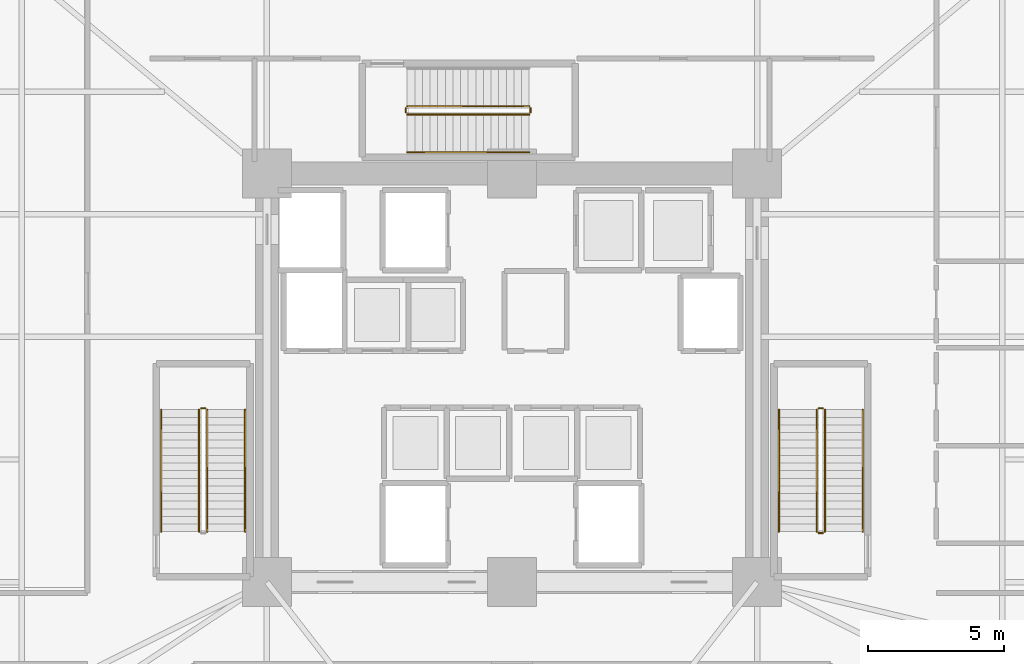
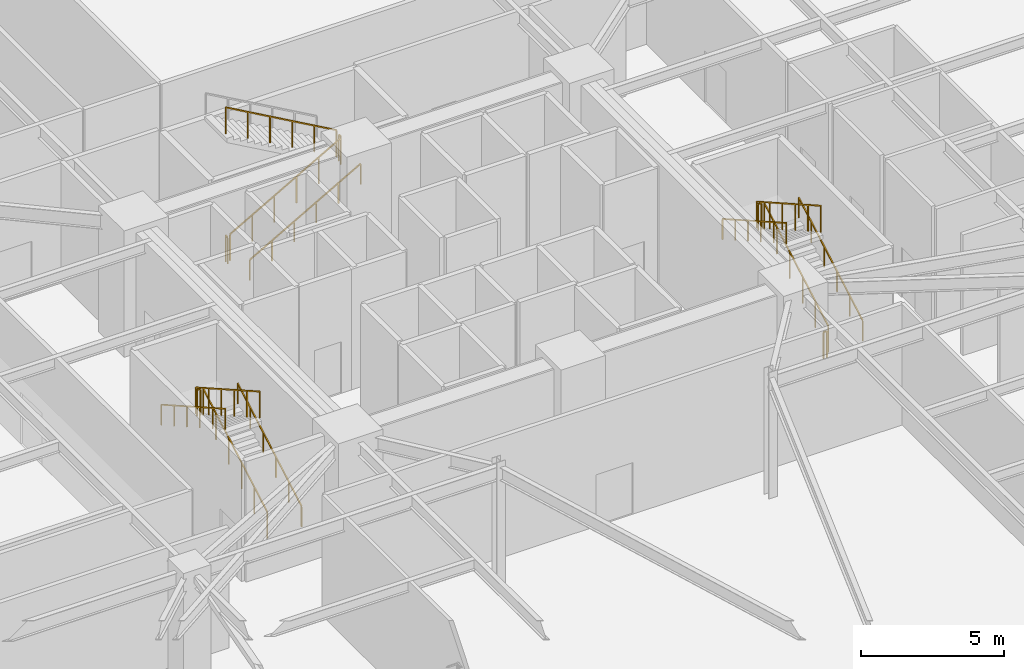
# One storey, part 26 of 30: 16 railings.
"""IFC4 building model written with IfcOpenShell, lengths in metres."""

from ifc_helpers import new_model, si_unit, direction, frame, origin, origin_2d, place, context, subcontext, project, spatial, rectangle, extrude, material, type_object, element, save


model = new_model("IFC4")

# Units and contexts
model_context = context("Model", 3, precision=1e-05, world=origin(), true_north=direction((0.0, 1.0)))
body_context = subcontext(model_context, "Body", "Model", "MODEL_VIEW")
ifc_project = project(units=[si_unit("LENGTHUNIT", "METRE"), si_unit("AREAUNIT", "SQUARE_METRE"), si_unit("VOLUMEUNIT", "CUBIC_METRE"), si_unit("PLANEANGLEUNIT", "RADIAN"), si_unit("MASSUNIT", "GRAM", prefix="KILO")], contexts=[model_context])

# Site, building, storey
site_placement = place(None, origin())
site = spatial("IfcSite", under=ifc_project, at=site_placement, CompositionType="ELEMENT")
building_placement = place(site_placement, origin())
building = spatial("IfcBuilding", under=site, at=building_placement, Name="Liaohun Quay Tower", CompositionType="ELEMENT")
storey_placement = place(building_placement, origin())
storey = spatial("IfcBuildingStorey", under=building, at=storey_placement, Name="L01", CompositionType="ELEMENT", Elevation=0.0)

# Railings
ifc_material_1 = material(Name="Painted tubular steel", Category="steel")
railing_type_1 = type_object("IfcRailingType", Name="RLG-GUARD-STR", PredefinedType="GUARDRAIL", material=ifc_material_1)
railing_1_placement = place(storey_placement, frame((48.81005859375, 48.35009765625, 0.158935546875)))
element("IfcRailing", 1, at=railing_1_placement, inside=storey, type_object=railing_type_1, Name="L01 ST-1 stair guard 1", PredefinedType="GUARDRAIL", context=body_context, shape_type="SweptSolid", body=[
    extrude(rectangle(XDim=0.048095703125, YDim=0.048095703125, at=origin_2d()), frame((0.0, 0.0, 1.1259765625), z_axis=(0.0, 0.869825572089, 0.493359376256), x_axis=(-1.0, 0.0, 0.0)), (0.0, 0.0, 1.0), 5.150390625),
    extrude(rectangle(XDim=0.0419921875, YDim=0.0419921875, at=origin_2d()), origin(), (0.0, 0.0, 1.0), 1.101806640625),
    extrude(rectangle(XDim=0.0419921875, YDim=0.0419921875, at=origin_2d()), frame((0.0, 0.89599609375, 0.50830078125)), (0.0, 0.0, 1.0), 1.101806640625),
    extrude(rectangle(XDim=0.0419921875, YDim=0.0419921875, at=origin_2d()), frame((0.0, 1.7919921875, 1.016357421875)), (0.0, 0.0, 1.0), 1.101806640625),
    extrude(rectangle(XDim=0.0419921875, YDim=0.0419921875, at=origin_2d()), frame((0.0, 2.68798828125, 1.524658203125)), (0.0, 0.0, 1.0), 1.101806640625),
    extrude(rectangle(XDim=0.0419921875, YDim=0.0419921875, at=origin_2d()), frame((0.0, 3.583984375, 2.03271484375)), (0.0, 0.0, 1.0), 1.101806640625),
    extrude(rectangle(XDim=0.0419921875, YDim=0.0419921875, at=origin_2d()), frame((0.0, 4.47998046875, 2.541015625)), (0.0, 0.0, 1.0), 1.101806640625),
])
railing_2_placement = place(storey_placement, frame((48.72998046875, 52.8798828125, 2.699951171875)))
element("IfcRailing", 2, at=railing_2_placement, inside=storey, type_object=railing_type_1, Name="L01 ST-1 stair guard 2", PredefinedType="GUARDRAIL", context=body_context, shape_type="SweptSolid", body=[
    extrude(rectangle(XDim=0.048095703125, YDim=0.048095703125, at=origin_2d()), frame((0.0, 0.0, 1.1259765625), z_axis=(-1.0, 0.0, 0.0), x_axis=(0.0, -1.0, 0.0)), (0.0, 0.0, 1.0), 0.139892578125),
    extrude(rectangle(XDim=0.0419921875, YDim=0.0419921875, at=origin_2d()), origin(), (0.0, 0.0, 1.0), 1.101806640625),
    extrude(rectangle(XDim=0.0419921875, YDim=0.0419921875, at=origin_2d()), frame((-0.139892578125, 0.0, 0.0)), (0.0, 0.0, 1.0), 1.101806640625),
])
railing_3_placement = place(storey_placement, frame((48.510009765625, 52.830078125, 2.85888671875)))
element("IfcRailing", 3, at=railing_3_placement, inside=storey, type_object=railing_type_1, Name="L01 ST-1 stair guard 3", PredefinedType="GUARDRAIL", context=body_context, shape_type="SweptSolid", body=[
    extrude(rectangle(XDim=0.048095703125, YDim=0.048095703125, at=origin_2d()), frame((0.0, 0.0, 1.1259765625), z_axis=(0.0, -0.869825572089, 0.493359376256), x_axis=(1.0, 0.0, 0.0)), (0.0, 0.0, 1.0), 5.150390625),
    extrude(rectangle(XDim=0.0419921875, YDim=0.0419921875, at=origin_2d()), origin(), (0.0, 0.0, 1.0), 1.101806640625),
    extrude(rectangle(XDim=0.0419921875, YDim=0.0419921875, at=origin_2d()), frame((0.0, -0.89599609375, 0.50830078125)), (0.0, 0.0, 1.0), 1.101806640625),
    extrude(rectangle(XDim=0.0419921875, YDim=0.0419921875, at=origin_2d()), frame((0.0, -1.7919921875, 1.016357421875)), (0.0, 0.0, 1.0), 1.101806640625),
    extrude(rectangle(XDim=0.0419921875, YDim=0.0419921875, at=origin_2d()), frame((0.0, -2.68798828125, 1.524658203125)), (0.0, 0.0, 1.0), 1.101806640625),
    extrude(rectangle(XDim=0.0419921875, YDim=0.0419921875, at=origin_2d()), frame((0.0, -3.583984375, 2.03271484375)), (0.0, 0.0, 1.0), 1.101806640625),
    extrude(rectangle(XDim=0.0419921875, YDim=0.0419921875, at=origin_2d()), frame((0.0, -4.47998046875, 2.541015625)), (0.0, 0.0, 1.0), 1.101806640625),
])
railing_4_placement = place(storey_placement, frame((71.489990234375, 48.35009765625, 0.158935546875)))
element("IfcRailing", 4, at=railing_4_placement, inside=storey, type_object=railing_type_1, Name="L01 ST-2 stair guard 1", PredefinedType="GUARDRAIL", context=body_context, shape_type="SweptSolid", body=[
    extrude(rectangle(XDim=0.048095703125, YDim=0.048095703125, at=origin_2d()), frame((0.0, 0.0, 1.1259765625), z_axis=(0.0, 0.869825572089, 0.493359376256), x_axis=(-1.0, 0.0, 0.0)), (0.0, 0.0, 1.0), 5.150390625),
    extrude(rectangle(XDim=0.0419921875, YDim=0.0419921875, at=origin_2d()), origin(), (0.0, 0.0, 1.0), 1.101806640625),
    extrude(rectangle(XDim=0.0419921875, YDim=0.0419921875, at=origin_2d()), frame((0.0, 0.89599609375, 0.50830078125)), (0.0, 0.0, 1.0), 1.101806640625),
    extrude(rectangle(XDim=0.0419921875, YDim=0.0419921875, at=origin_2d()), frame((0.0, 1.7919921875, 1.016357421875)), (0.0, 0.0, 1.0), 1.101806640625),
    extrude(rectangle(XDim=0.0419921875, YDim=0.0419921875, at=origin_2d()), frame((0.0, 2.68798828125, 1.524658203125)), (0.0, 0.0, 1.0), 1.101806640625),
    extrude(rectangle(XDim=0.0419921875, YDim=0.0419921875, at=origin_2d()), frame((0.0, 3.583984375, 2.03271484375)), (0.0, 0.0, 1.0), 1.101806640625),
    extrude(rectangle(XDim=0.0419921875, YDim=0.0419921875, at=origin_2d()), frame((0.0, 4.47998046875, 2.541015625)), (0.0, 0.0, 1.0), 1.101806640625),
])
railing_5_placement = place(storey_placement, frame((71.409912109375, 52.8798828125, 2.699951171875)))
element("IfcRailing", 5, at=railing_5_placement, inside=storey, type_object=railing_type_1, Name="L01 ST-2 stair guard 2", PredefinedType="GUARDRAIL", context=body_context, shape_type="SweptSolid", body=[
    extrude(rectangle(XDim=0.048095703125, YDim=0.048095703125, at=origin_2d()), frame((0.0, 0.0, 1.1259765625), z_axis=(-1.0, 0.0, 0.0), x_axis=(0.0, -1.0, 0.0)), (0.0, 0.0, 1.0), 0.139892578125),
    extrude(rectangle(XDim=0.0419921875, YDim=0.0419921875, at=origin_2d()), origin(), (0.0, 0.0, 1.0), 1.101806640625),
    extrude(rectangle(XDim=0.0419921875, YDim=0.0419921875, at=origin_2d()), frame((-0.139892578125, 0.0, 0.0)), (0.0, 0.0, 1.0), 1.101806640625),
])
railing_6_placement = place(storey_placement, frame((71.18994140625, 52.830078125, 2.85888671875)))
element("IfcRailing", 6, at=railing_6_placement, inside=storey, type_object=railing_type_1, Name="L01 ST-2 stair guard 3", PredefinedType="GUARDRAIL", context=body_context, shape_type="SweptSolid", body=[
    extrude(rectangle(XDim=0.048095703125, YDim=0.048095703125, at=origin_2d()), frame((0.0, 0.0, 1.1259765625), z_axis=(0.0, -0.869825572089, 0.493359376256), x_axis=(1.0, 0.0, 0.0)), (0.0, 0.0, 1.0), 5.150390625),
    extrude(rectangle(XDim=0.0419921875, YDim=0.0419921875, at=origin_2d()), origin(), (0.0, 0.0, 1.0), 1.101806640625),
    extrude(rectangle(XDim=0.0419921875, YDim=0.0419921875, at=origin_2d()), frame((0.0, -0.89599609375, 0.50830078125)), (0.0, 0.0, 1.0), 1.101806640625),
    extrude(rectangle(XDim=0.0419921875, YDim=0.0419921875, at=origin_2d()), frame((0.0, -1.7919921875, 1.016357421875)), (0.0, 0.0, 1.0), 1.101806640625),
    extrude(rectangle(XDim=0.0419921875, YDim=0.0419921875, at=origin_2d()), frame((0.0, -2.68798828125, 1.524658203125)), (0.0, 0.0, 1.0), 1.101806640625),
    extrude(rectangle(XDim=0.0419921875, YDim=0.0419921875, at=origin_2d()), frame((0.0, -3.583984375, 2.03271484375)), (0.0, 0.0, 1.0), 1.101806640625),
    extrude(rectangle(XDim=0.0419921875, YDim=0.0419921875, at=origin_2d()), frame((0.0, -4.47998046875, 2.541015625)), (0.0, 0.0, 1.0), 1.101806640625),
])
railing_7_placement = place(storey_placement, frame((71.409912109375, 48.300048828125, 0.0)))
element("IfcRailing", 7, at=railing_7_placement, inside=storey, type_object=railing_type_1, Name="L01 ST-2 stair guard 4", PredefinedType="GUARDRAIL", context=body_context, shape_type="SweptSolid", body=[
    extrude(rectangle(XDim=0.048095703125, YDim=0.048095703125, at=origin_2d()), frame((0.0, 0.0, 1.1259765625), z_axis=(-1.0, 0.0, 0.0), x_axis=(0.0, -1.0, 0.0)), (0.0, 0.0, 1.0), 0.139892578125),
    extrude(rectangle(XDim=0.0419921875, YDim=0.0419921875, at=origin_2d()), origin(), (0.0, 0.0, 1.0), 1.101806640625),
    extrude(rectangle(XDim=0.0419921875, YDim=0.0419921875, at=origin_2d()), frame((-0.139892578125, 0.0, 0.0)), (0.0, 0.0, 1.0), 1.101806640625),
])
railing_8_placement = place(storey_placement, frame((56.14990234375, 63.669921875, 0.158935546875)))
element("IfcRailing", 8, at=railing_8_placement, inside=storey, type_object=railing_type_1, Name="L01 ST-3 stair guard 1", PredefinedType="GUARDRAIL", context=body_context, shape_type="SweptSolid", body=[
    extrude(rectangle(XDim=0.048095703125, YDim=0.048095703125, at=origin_2d()), frame((0.0, 0.0, 1.1259765625), z_axis=(0.869825572089, 0.0, 0.493359376256), x_axis=(0.0, 1.0, 0.0)), (0.0, 0.0, 1.0), 5.150390625),
    extrude(rectangle(XDim=0.0419921875, YDim=0.0419921875, at=origin_2d()), origin(), (0.0, 0.0, 1.0), 1.101806640625),
    extrude(rectangle(XDim=0.0419921875, YDim=0.0419921875, at=origin_2d()), frame((0.89599609375, 0.0, 0.50830078125)), (0.0, 0.0, 1.0), 1.101806640625),
    extrude(rectangle(XDim=0.0419921875, YDim=0.0419921875, at=origin_2d()), frame((1.7919921875, 0.0, 1.016357421875)), (0.0, 0.0, 1.0), 1.101806640625),
    extrude(rectangle(XDim=0.0419921875, YDim=0.0419921875, at=origin_2d()), frame((2.68798828125, 0.0, 1.524658203125)), (0.0, 0.0, 1.0), 1.101806640625),
    extrude(rectangle(XDim=0.0419921875, YDim=0.0419921875, at=origin_2d()), frame((3.583984375, 0.0, 2.03271484375)), (0.0, 0.0, 1.0), 1.101806640625),
    extrude(rectangle(XDim=0.0419921875, YDim=0.0419921875, at=origin_2d()), frame((4.47998046875, 0.0, 2.541015625)), (0.0, 0.0, 1.0), 1.101806640625),
])
railing_9_placement = place(storey_placement, frame((60.679931640625, 63.75, 2.699951171875)))
element("IfcRailing", 9, at=railing_9_placement, inside=storey, type_object=railing_type_1, Name="L01 ST-3 stair guard 2", PredefinedType="GUARDRAIL", context=body_context, shape_type="SweptSolid", body=[
    extrude(rectangle(XDim=0.048095703125, YDim=0.048095703125, at=origin_2d()), frame((0.0, 0.0, 1.1259765625), z_axis=(0.0, 1.0, 0.0), x_axis=(-1.0, 0.0, 0.0)), (0.0, 0.0, 1.0), 0.139892578125),
    extrude(rectangle(XDim=0.0419921875, YDim=0.0419921875, at=origin_2d()), origin(), (0.0, 0.0, 1.0), 1.101806640625),
    extrude(rectangle(XDim=0.0419921875, YDim=0.0419921875, at=origin_2d()), frame((0.0, 0.139892578125, 0.0)), (0.0, 0.0, 1.0), 1.101806640625),
])
railing_10_placement = place(storey_placement, frame((60.6298828125, 63.969970703125, 2.85888671875)))
element("IfcRailing", 10, at=railing_10_placement, inside=storey, type_object=railing_type_1, Name="L01 ST-3 stair guard 3", PredefinedType="GUARDRAIL", context=body_context, shape_type="SweptSolid", body=[
    extrude(rectangle(XDim=0.048095703125, YDim=0.048095703125, at=origin_2d()), frame((0.0, 0.0, 1.1259765625), z_axis=(-0.869825572089, 0.0, 0.493359376256), x_axis=(0.0, -1.0, 0.0)), (0.0, 0.0, 1.0), 5.150390625),
    extrude(rectangle(XDim=0.0419921875, YDim=0.0419921875, at=origin_2d()), origin(), (0.0, 0.0, 1.0), 1.101806640625),
    extrude(rectangle(XDim=0.0419921875, YDim=0.0419921875, at=origin_2d()), frame((-0.89599609375, 0.0, 0.50830078125)), (0.0, 0.0, 1.0), 1.101806640625),
    extrude(rectangle(XDim=0.0419921875, YDim=0.0419921875, at=origin_2d()), frame((-1.7919921875, 0.0, 1.016357421875)), (0.0, 0.0, 1.0), 1.101806640625),
    extrude(rectangle(XDim=0.0419921875, YDim=0.0419921875, at=origin_2d()), frame((-2.68798828125, 0.0, 1.524658203125)), (0.0, 0.0, 1.0), 1.101806640625),
    extrude(rectangle(XDim=0.0419921875, YDim=0.0419921875, at=origin_2d()), frame((-3.583984375, 0.0, 2.03271484375)), (0.0, 0.0, 1.0), 1.101806640625),
    extrude(rectangle(XDim=0.0419921875, YDim=0.0419921875, at=origin_2d()), frame((-4.47998046875, 0.0, 2.541015625)), (0.0, 0.0, 1.0), 1.101806640625),
])
railing_11_placement = place(storey_placement, frame((56.10009765625, 63.75, 0.0)))
element("IfcRailing", 11, at=railing_11_placement, inside=storey, type_object=railing_type_1, Name="L01 ST-3 stair guard 4", PredefinedType="GUARDRAIL", context=body_context, shape_type="SweptSolid", body=[
    extrude(rectangle(XDim=0.048095703125, YDim=0.048095703125, at=origin_2d()), frame((0.0, 0.0, 1.1259765625), z_axis=(0.0, 1.0, 0.0), x_axis=(-1.0, 0.0, 0.0)), (0.0, 0.0, 1.0), 0.139892578125),
    extrude(rectangle(XDim=0.0419921875, YDim=0.0419921875, at=origin_2d()), origin(), (0.0, 0.0, 1.0), 1.101806640625),
    extrude(rectangle(XDim=0.0419921875, YDim=0.0419921875, at=origin_2d()), frame((0.0, 0.139892578125, 0.0)), (0.0, 0.0, 1.0), 1.101806640625),
])
ifc_material_2 = material(Name="Brushed stainless steel", Category="steel")
railing_type_2 = type_object("IfcRailingType", Name="RLG-HND-STR", PredefinedType="HANDRAIL", material=ifc_material_2)
railing_12_placement = place(storey_placement, frame((50.199951171875, 48.35009765625, 0.158935546875)))
element("IfcRailing", 12, at=railing_12_placement, inside=storey, type_object=railing_type_2, Name="L01 ST-1 stair handrail 1", PredefinedType="HANDRAIL", context=body_context, shape_type="SweptSolid", body=[
    extrude(rectangle(XDim=0.048095703125, YDim=0.048095703125, at=origin_2d()), frame((0.0, 0.0, 0.8759765625), z_axis=(0.0, 0.869825572089, 0.493359376256), x_axis=(-1.0, 0.0, 0.0)), (0.0, 0.0, 1.0), 5.150390625),
    extrude(rectangle(XDim=0.0419921875, YDim=0.0419921875, at=origin_2d()), origin(), (0.0, 0.0, 1.0), 0.851806640625),
    extrude(rectangle(XDim=0.0419921875, YDim=0.0419921875, at=origin_2d()), frame((0.0, 0.89599609375, 0.50830078125)), (0.0, 0.0, 1.0), 0.851806640625),
    extrude(rectangle(XDim=0.0419921875, YDim=0.0419921875, at=origin_2d()), frame((0.0, 1.7919921875, 1.016357421875)), (0.0, 0.0, 1.0), 0.851806640625),
    extrude(rectangle(XDim=0.0419921875, YDim=0.0419921875, at=origin_2d()), frame((0.0, 2.68798828125, 1.524658203125)), (0.0, 0.0, 1.0), 0.851806640625),
    extrude(rectangle(XDim=0.0419921875, YDim=0.0419921875, at=origin_2d()), frame((0.0, 3.583984375, 2.03271484375)), (0.0, 0.0, 1.0), 0.851806640625),
    extrude(rectangle(XDim=0.0419921875, YDim=0.0419921875, at=origin_2d()), frame((0.0, 4.47998046875, 2.541015625)), (0.0, 0.0, 1.0), 0.851806640625),
])
railing_13_placement = place(storey_placement, frame((47.1201171875, 52.830078125, 2.85888671875)))
element("IfcRailing", 13, at=railing_13_placement, inside=storey, type_object=railing_type_2, Name="L01 ST-1 stair handrail 2", PredefinedType="HANDRAIL", context=body_context, shape_type="SweptSolid", body=[
    extrude(rectangle(XDim=0.048095703125, YDim=0.048095703125, at=origin_2d()), frame((0.0, 0.0, 0.8759765625), z_axis=(0.0, -0.869825572089, 0.493359376256), x_axis=(1.0, 0.0, 0.0)), (0.0, 0.0, 1.0), 5.150390625),
    extrude(rectangle(XDim=0.0419921875, YDim=0.0419921875, at=origin_2d()), origin(), (0.0, 0.0, 1.0), 0.851806640625),
    extrude(rectangle(XDim=0.0419921875, YDim=0.0419921875, at=origin_2d()), frame((0.0, -0.89599609375, 0.50830078125)), (0.0, 0.0, 1.0), 0.851806640625),
    extrude(rectangle(XDim=0.0419921875, YDim=0.0419921875, at=origin_2d()), frame((0.0, -1.7919921875, 1.016357421875)), (0.0, 0.0, 1.0), 0.851806640625),
    extrude(rectangle(XDim=0.0419921875, YDim=0.0419921875, at=origin_2d()), frame((0.0, -2.68798828125, 1.524658203125)), (0.0, 0.0, 1.0), 0.851806640625),
    extrude(rectangle(XDim=0.0419921875, YDim=0.0419921875, at=origin_2d()), frame((0.0, -3.583984375, 2.03271484375)), (0.0, 0.0, 1.0), 0.851806640625),
    extrude(rectangle(XDim=0.0419921875, YDim=0.0419921875, at=origin_2d()), frame((0.0, -4.47998046875, 2.541015625)), (0.0, 0.0, 1.0), 0.851806640625),
])
railing_14_placement = place(storey_placement, frame((72.8798828125, 48.35009765625, 0.158935546875)))
element("IfcRailing", 14, at=railing_14_placement, inside=storey, type_object=railing_type_2, Name="L01 ST-2 stair handrail 1", PredefinedType="HANDRAIL", context=body_context, shape_type="SweptSolid", body=[
    extrude(rectangle(XDim=0.048095703125, YDim=0.048095703125, at=origin_2d()), frame((0.0, 0.0, 0.8759765625), z_axis=(0.0, 0.869825572089, 0.493359376256), x_axis=(-1.0, 0.0, 0.0)), (0.0, 0.0, 1.0), 5.150390625),
    extrude(rectangle(XDim=0.0419921875, YDim=0.0419921875, at=origin_2d()), origin(), (0.0, 0.0, 1.0), 0.851806640625),
    extrude(rectangle(XDim=0.0419921875, YDim=0.0419921875, at=origin_2d()), frame((0.0, 0.89599609375, 0.50830078125)), (0.0, 0.0, 1.0), 0.851806640625),
    extrude(rectangle(XDim=0.0419921875, YDim=0.0419921875, at=origin_2d()), frame((0.0, 1.7919921875, 1.016357421875)), (0.0, 0.0, 1.0), 0.851806640625),
    extrude(rectangle(XDim=0.0419921875, YDim=0.0419921875, at=origin_2d()), frame((0.0, 2.68798828125, 1.524658203125)), (0.0, 0.0, 1.0), 0.851806640625),
    extrude(rectangle(XDim=0.0419921875, YDim=0.0419921875, at=origin_2d()), frame((0.0, 3.583984375, 2.03271484375)), (0.0, 0.0, 1.0), 0.851806640625),
    extrude(rectangle(XDim=0.0419921875, YDim=0.0419921875, at=origin_2d()), frame((0.0, 4.47998046875, 2.541015625)), (0.0, 0.0, 1.0), 0.851806640625),
])
railing_15_placement = place(storey_placement, frame((69.800048828125, 52.830078125, 2.85888671875)))
element("IfcRailing", 15, at=railing_15_placement, inside=storey, type_object=railing_type_2, Name="L01 ST-2 stair handrail 2", PredefinedType="HANDRAIL", context=body_context, shape_type="SweptSolid", body=[
    extrude(rectangle(XDim=0.048095703125, YDim=0.048095703125, at=origin_2d()), frame((0.0, 0.0, 0.8759765625), z_axis=(0.0, -0.869825572089, 0.493359376256), x_axis=(1.0, 0.0, 0.0)), (0.0, 0.0, 1.0), 5.150390625),
    extrude(rectangle(XDim=0.0419921875, YDim=0.0419921875, at=origin_2d()), origin(), (0.0, 0.0, 1.0), 0.851806640625),
    extrude(rectangle(XDim=0.0419921875, YDim=0.0419921875, at=origin_2d()), frame((0.0, -0.89599609375, 0.50830078125)), (0.0, 0.0, 1.0), 0.851806640625),
    extrude(rectangle(XDim=0.0419921875, YDim=0.0419921875, at=origin_2d()), frame((0.0, -1.7919921875, 1.016357421875)), (0.0, 0.0, 1.0), 0.851806640625),
    extrude(rectangle(XDim=0.0419921875, YDim=0.0419921875, at=origin_2d()), frame((0.0, -2.68798828125, 1.524658203125)), (0.0, 0.0, 1.0), 0.851806640625),
    extrude(rectangle(XDim=0.0419921875, YDim=0.0419921875, at=origin_2d()), frame((0.0, -3.583984375, 2.03271484375)), (0.0, 0.0, 1.0), 0.851806640625),
    extrude(rectangle(XDim=0.0419921875, YDim=0.0419921875, at=origin_2d()), frame((0.0, -4.47998046875, 2.541015625)), (0.0, 0.0, 1.0), 0.851806640625),
])
railing_16_placement = place(storey_placement, frame((56.14990234375, 62.280029296875, 0.158935546875)))
element("IfcRailing", 16, at=railing_16_placement, inside=storey, type_object=railing_type_2, Name="L01 ST-3 stair handrail 1", PredefinedType="HANDRAIL", context=body_context, shape_type="SweptSolid", body=[
    extrude(rectangle(XDim=0.048095703125, YDim=0.048095703125, at=origin_2d()), frame((0.0, 0.0, 0.8759765625), z_axis=(0.869825572089, 0.0, 0.493359376256), x_axis=(0.0, 1.0, 0.0)), (0.0, 0.0, 1.0), 5.150390625),
    extrude(rectangle(XDim=0.0419921875, YDim=0.0419921875, at=origin_2d()), origin(), (0.0, 0.0, 1.0), 0.851806640625),
    extrude(rectangle(XDim=0.0419921875, YDim=0.0419921875, at=origin_2d()), frame((0.89599609375, 0.0, 0.50830078125)), (0.0, 0.0, 1.0), 0.851806640625),
    extrude(rectangle(XDim=0.0419921875, YDim=0.0419921875, at=origin_2d()), frame((1.7919921875, 0.0, 1.016357421875)), (0.0, 0.0, 1.0), 0.851806640625),
    extrude(rectangle(XDim=0.0419921875, YDim=0.0419921875, at=origin_2d()), frame((2.68798828125, 0.0, 1.524658203125)), (0.0, 0.0, 1.0), 0.851806640625),
    extrude(rectangle(XDim=0.0419921875, YDim=0.0419921875, at=origin_2d()), frame((3.583984375, 0.0, 2.03271484375)), (0.0, 0.0, 1.0), 0.851806640625),
    extrude(rectangle(XDim=0.0419921875, YDim=0.0419921875, at=origin_2d()), frame((4.47998046875, 0.0, 2.541015625)), (0.0, 0.0, 1.0), 0.851806640625),
])

save(model, "model.ifc")
